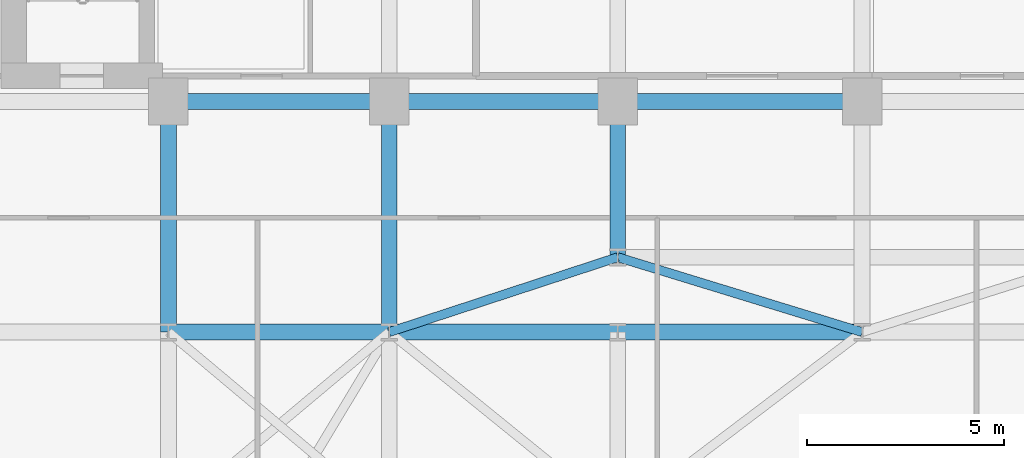
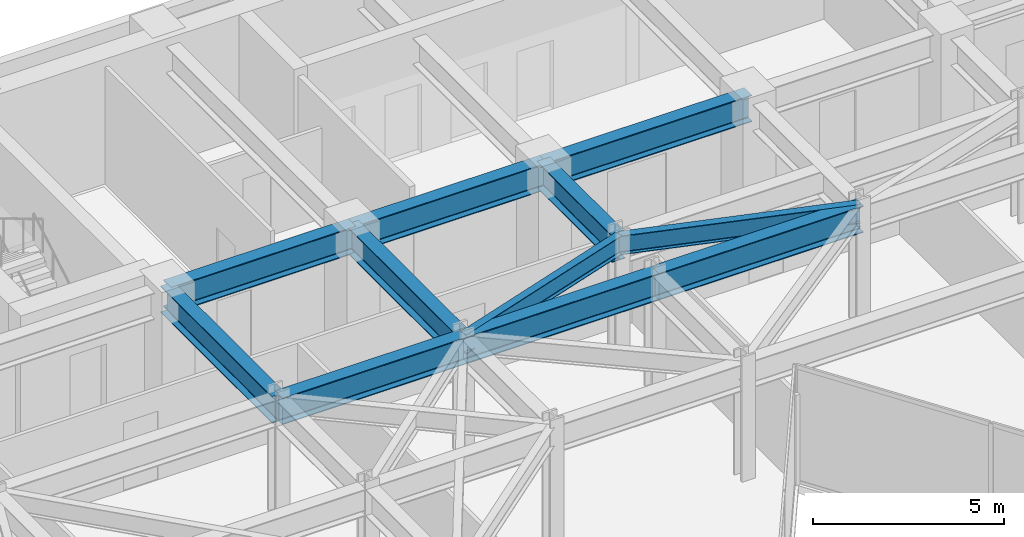
# One storey, part 14 of 26: 11 beams.
"""IFC4 building model written with IfcOpenShell, lengths in metres."""

from ifc_helpers import new_model, si_unit, direction, frame, origin, origin_2d, place, context, subcontext, project, spatial, i_section, extrude, material, material_profile, profile_set, type_object, element, save


model = new_model("IFC4")

# Units and contexts
model_context = context("Model", 3, precision=1e-05, world=origin(), true_north=direction((0.0, 1.0)))
body_context = subcontext(model_context, "Body", "Model", "MODEL_VIEW")
ifc_project = project(units=[si_unit("LENGTHUNIT", "METRE"), si_unit("AREAUNIT", "SQUARE_METRE"), si_unit("VOLUMEUNIT", "CUBIC_METRE"), si_unit("PLANEANGLEUNIT", "RADIAN"), si_unit("MASSUNIT", "GRAM", prefix="KILO")], contexts=[model_context])

# Site, building, storey
site_placement = place(None, origin())
site = spatial("IfcSite", under=ifc_project, at=site_placement, CompositionType="ELEMENT")
building_placement = place(site_placement, origin())
building = spatial("IfcBuilding", under=site, at=building_placement, Name="Kravanh Interchange Tower", CompositionType="ELEMENT")
storey_placement = place(building_placement, frame((0.0, 0.0, 132.0)))
storey = spatial("IfcBuildingStorey", under=building, at=storey_placement, Name="L31", CompositionType="ELEMENT", Elevation=132.0)

# Beams
ifc_material_1 = material(Name="Structural Steel S355", Category="steel")
ifc_material_profile_1 = material_profile(ifc_material_1, i_section(OverallWidth=0.39990234375, OverallDepth=0.85595703125, WebThickness=0.018310546875, FlangeThickness=0.029296875, FilletRadius=0.02490234375, at=origin_2d()), Name="W33X201")
ifc_profile_set_1 = profile_set([ifc_material_profile_1], Name="Structural Steel S355")
beam_type_1 = type_object("IfcBeamType", Name="Floor Beam W33X201 Structural Steel S355", PredefinedType="BEAM", material=ifc_profile_set_1)
beam_1_placement = place(storey_placement, frame((44.800048828125, 37.35009765625, 3.322021484375), z_axis=(-1.0, 0.0, 0.0), x_axis=(0.0, -1.0, 0.0)))
element("IfcBeam", 1, at=beam_1_placement, inside=storey, type_object=beam_type_1, Name="L31 Primary Floor Girder 13", PredefinedType="BEAM", context=body_context, shape_type="SweptSolid", body=[
    extrude(i_section(OverallWidth=0.39990234375, OverallDepth=0.85595703125, WebThickness=0.018310546875, FlangeThickness=0.029296875, FilletRadius=0.02490234375, at=origin_2d()), origin(), (0.0, 0.0, 1.0), 6.199951171875),
])
beam_2_placement = place(storey_placement, frame((38.60009765625, 37.35009765625, 3.322021484375), z_axis=(0.0, -1.0, 0.0), x_axis=(1.0, 0.0, 0.0)))
element("IfcBeam", 2, at=beam_2_placement, inside=storey, type_object=beam_type_1, Name="L31 Primary Floor Girder 16", PredefinedType="BEAM", context=body_context, shape_type="SweptSolid", body=[
    extrude(i_section(OverallWidth=0.39990234375, OverallDepth=0.85595703125, WebThickness=0.018310546875, FlangeThickness=0.029296875, FilletRadius=0.02490234375, at=origin_2d()), origin(), (0.0, 0.0, 1.0), 3.9501953125),
])
beam_3_placement = place(storey_placement, frame((38.60009765625, 37.35009765625, 3.322021484375), z_axis=(-1.0, 0.0, 0.0), x_axis=(0.0, -1.0, 0.0)))
element("IfcBeam", 3, at=beam_3_placement, inside=storey, type_object=beam_type_1, Name="L31 Primary Floor Girder 17", PredefinedType="BEAM", context=body_context, shape_type="SweptSolid", body=[
    extrude(i_section(OverallWidth=0.39990234375, OverallDepth=0.85595703125, WebThickness=0.018310546875, FlangeThickness=0.029296875, FilletRadius=0.02490234375, at=origin_2d()), origin(), (0.0, 0.0, 1.0), 5.800048828125),
])
beam_4_placement = place(storey_placement, frame((32.800048828125, 37.35009765625, 3.322021484375), z_axis=(-1.0, 0.0, 0.0), x_axis=(0.0, -1.0, 0.0)))
element("IfcBeam", 4, at=beam_4_placement, inside=storey, type_object=beam_type_1, Name="L31 Primary Floor Girder 20", PredefinedType="BEAM", context=body_context, shape_type="SweptSolid", body=[
    extrude(i_section(OverallWidth=0.39990234375, OverallDepth=0.85595703125, WebThickness=0.018310546875, FlangeThickness=0.029296875, FilletRadius=0.02490234375, at=origin_2d()), origin(), (0.0, 0.0, 1.0), 5.60009765625),
])
for number, where, z_axis, x_axis, name in (
    (5, (32.800048828125, 37.35009765625, 3.322021484375), (0.0, -1.0, 0.0), (1.0, 0.0, 0.0), "L31 Primary Floor Girder 21"),
    (6, (27.199951171875, 37.35009765625, 3.322021484375), (0.0, -1.0, 0.0), (1.0, 0.0, 0.0), "L31 Primary Floor Girder 24"),
):
    element("IfcBeam", number, at=place(storey_placement, frame(where, z_axis=z_axis, x_axis=x_axis)), inside=storey, type_object=beam_type_1, Name=name, PredefinedType="BEAM", context=body_context, shape_type="SweptSolid", body=[
        extrude(i_section(OverallWidth=0.39990234375, OverallDepth=0.85595703125, WebThickness=0.018310546875, FlangeThickness=0.029296875, FilletRadius=0.02490234375, at=origin_2d()), origin(), (0.0, 0.0, 1.0), 5.85009765625),
    ])
beam_5_placement = place(storey_placement, frame((27.199951171875, 31.5, 3.322021484375), z_axis=(1.0, 0.0, 0.0), x_axis=(0.0, 1.0, 0.0)))
element("IfcBeam", 7, at=beam_5_placement, inside=storey, type_object=beam_type_1, Name="L31 Primary Floor Girder 74", PredefinedType="BEAM", context=body_context, shape_type="SweptSolid", body=[
    extrude(i_section(OverallWidth=0.39990234375, OverallDepth=0.85595703125, WebThickness=0.018310546875, FlangeThickness=0.029296875, FilletRadius=0.02490234375, at=origin_2d()), origin(), (0.0, 0.0, 1.0), 5.60009765625),
])
beam_6_placement = place(storey_placement, frame((32.800048828125, 31.5, 3.322021484375), z_axis=(1.0, 0.0, 0.0), x_axis=(0.0, 1.0, 0.0)))
element("IfcBeam", 8, at=beam_6_placement, inside=storey, type_object=beam_type_1, Name="L31 Primary Floor Girder 78", PredefinedType="BEAM", context=body_context, shape_type="SweptSolid", body=[
    extrude(i_section(OverallWidth=0.39990234375, OverallDepth=0.85595703125, WebThickness=0.018310546875, FlangeThickness=0.029296875, FilletRadius=0.02490234375, at=origin_2d()), origin(), (0.0, 0.0, 1.0), 5.800048828125),
])
beam_7_placement = place(storey_placement, frame((38.60009765625, 31.5, 3.322021484375), z_axis=(1.0, 0.0, 0.0), x_axis=(0.0, 1.0, 0.0)))
element("IfcBeam", 9, at=beam_7_placement, inside=storey, type_object=beam_type_1, Name="L31 Primary Floor Girder 81", PredefinedType="BEAM", context=body_context, shape_type="SweptSolid", body=[
    extrude(i_section(OverallWidth=0.39990234375, OverallDepth=0.85595703125, WebThickness=0.018310546875, FlangeThickness=0.029296875, FilletRadius=0.02490234375, at=origin_2d()), origin(), (0.0, 0.0, 1.0), 6.199951171875),
])
ifc_material_2 = material(Name="Structural Steel S355", Category="steel")
ifc_material_profile_2 = material_profile(ifc_material_2, i_section(OverallWidth=0.22802734375, OverallDepth=0.60791015625, WebThickness=0.01123046875, FlangeThickness=0.017333984375, FilletRadius=0.02197265625, at=origin_2d()), Name="W24X76")
ifc_profile_set_2 = profile_set([ifc_material_profile_2], Name="Structural Steel S355")
beam_type_2 = type_object("IfcBeamType", Name="Floor Spandrel W24X76 Structural Steel S355", PredefinedType="SPANDREL", material=ifc_profile_set_2)
beam_8_placement = place(storey_placement, frame((32.800048828125, 31.5, 3.446044921875), z_axis=(0.950314536578, 0.31129131303, 0.0), x_axis=(-0.31129131303, 0.950314536578, 0.0)))
element("IfcBeam", 10, at=beam_8_placement, inside=storey, type_object=beam_type_2, Name="L31 Perimeter Spandrel 79", PredefinedType="SPANDREL", context=body_context, shape_type="SweptSolid", body=[
    extrude(i_section(OverallWidth=0.22802734375, OverallDepth=0.60791015625, WebThickness=0.01123046875, FlangeThickness=0.017333984375, FilletRadius=0.02197265625, at=origin_2d()), origin(), (0.0, 0.0, 1.0), 6.103271484375),
])
beam_9_placement = place(storey_placement, frame((44.800048828125, 31.5, 3.446044921875), z_axis=(-0.956115397264, 0.292990353279, 0.0), x_axis=(-0.292990353279, -0.956115397264, 0.0)))
element("IfcBeam", 11, at=beam_9_placement, inside=storey, type_object=beam_type_2, Name="L31 Perimeter Spandrel 85", PredefinedType="SPANDREL", context=body_context, shape_type="SweptSolid", body=[
    extrude(i_section(OverallWidth=0.22802734375, OverallDepth=0.60791015625, WebThickness=0.01123046875, FlangeThickness=0.017333984375, FilletRadius=0.02197265625, at=origin_2d()), origin(), (0.0, 0.0, 1.0), 6.484619140625),
])

save(model, "model.ifc")
